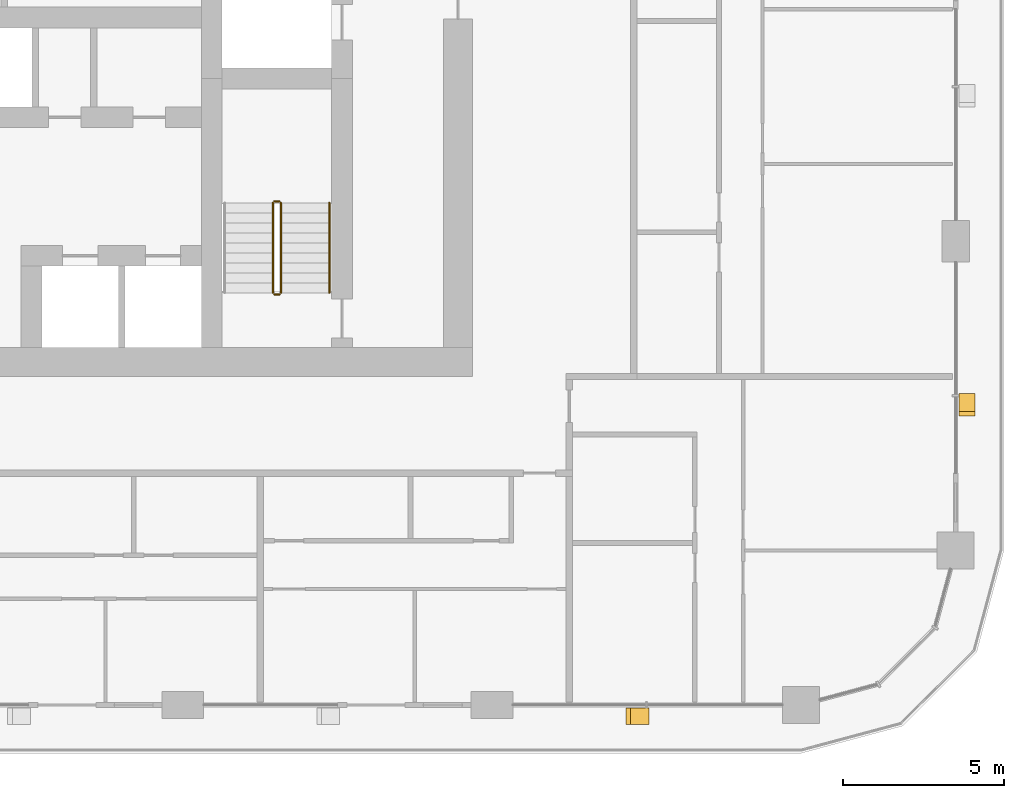
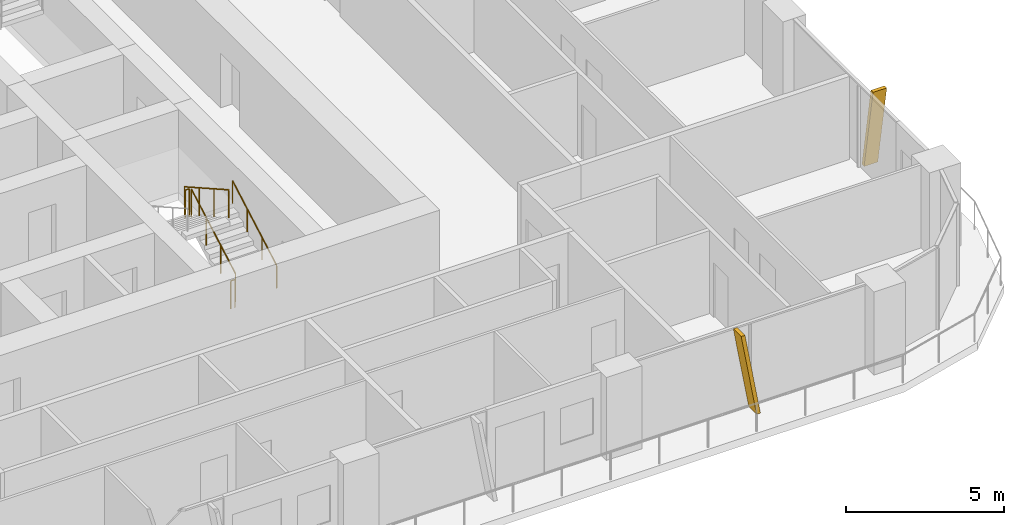
# One storey, part 19 of 22: 5 railings, 2 shading devices.
"""IFC4 building model written with IfcOpenShell, lengths in metres."""

from ifc_helpers import new_model, si_unit, direction, frame, origin, origin_2d, place, context, subcontext, project, spatial, polyline, circle, outline, extrude, material, type_object, element, save


model = new_model("IFC4")

# Units and contexts
model_context = context("Model", 3, precision=1e-05, world=origin(), true_north=direction((0.0, 1.0)))
body_context = subcontext(model_context, "Body", "Model", "MODEL_VIEW")
ifc_project = project(units=[si_unit("LENGTHUNIT", "METRE"), si_unit("AREAUNIT", "SQUARE_METRE"), si_unit("VOLUMEUNIT", "CUBIC_METRE"), si_unit("PLANEANGLEUNIT", "RADIAN"), si_unit("MASSUNIT", "GRAM", prefix="KILO")], contexts=[model_context])

# Site, building, storey
site_placement = place(None, origin())
site = spatial("IfcSite", under=ifc_project, at=site_placement, CompositionType="ELEMENT")
building_placement = place(site_placement, origin())
building = spatial("IfcBuilding", under=site, at=building_placement, Name="Madar Terraces", CompositionType="ELEMENT")
storey_placement = place(building_placement, frame((0.0, 0.0, 99.699951171875)))
storey = spatial("IfcBuildingStorey", under=building, at=storey_placement, Name="L25", CompositionType="ELEMENT", Elevation=99.699951171875)

# Shading devices
ifc_material_1 = material(Name="Aluminium, black anodised", Category="aluminium")
shading_device_type = type_object("IfcShadingDeviceType", Name="Facade fin blade 140 x 500", PredefinedType="USERDEFINED", material=ifc_material_1)
shading_device_1_placement = place(storey_placement, frame((52.72998046875, 4.449951171875, 0.0), z_axis=(0.0, 0.0, 1.0), x_axis=(1.0, 0.0, 0.0)))
element("IfcShadingDevice", 1, at=shading_device_1_placement, inside=storey, type_object=shading_device_type, Name="FIN L25 S5", ObjectType="FIN", PredefinedType="USERDEFINED", context=body_context, shape_type="SweptSolid", body=[
    extrude(outline(polyline([(0.0, 0.0), (0.14013671875, 0.0), (-0.42431640625, 3.199951171875), (-0.564208984375, 3.199951171875), (0.0, 0.0)])), frame((0.0, 0.25, 0.0), z_axis=(0.0, -1.0, 0.0), x_axis=(1.0, 0.0, 0.0)), (0.0, 0.0, 1.0), 0.5),
])
shading_device_2_placement = place(storey_placement, frame((62.75, 14.330078125, 0.0), z_axis=(0.0, 0.0, 1.0), x_axis=(0.0, 1.0, 0.0)))
element("IfcShadingDevice", 2, at=shading_device_2_placement, inside=storey, type_object=shading_device_type, Name="FIN L25 E1", ObjectType="FIN", PredefinedType="USERDEFINED", context=body_context, shape_type="SweptSolid", body=[
    extrude(outline(polyline([(0.0, 0.0), (0.139892578125, 0.0), (-0.42431640625, 3.199951171875), (-0.564208984375, 3.199951171875), (0.0, 0.0)])), frame((0.0, 0.25, 0.0), z_axis=(0.0, -1.0, 0.0), x_axis=(1.0, 0.0, 0.0)), (0.0, 0.0, 1.0), 0.5),
])

# Railings
ifc_material_2 = material(Name="Stainless steel railing", Category="steel")
railing_type_1 = type_object("IfcRailingType", Name="Stair guard 1100", PredefinedType="GUARDRAIL", material=ifc_material_2)
railing_1_placement = place(storey_placement, frame((41.449951171875, 17.60009765625, 0.175048828125)))
element("IfcRailing", 3, at=railing_1_placement, inside=storey, type_object=railing_type_1, Name="L25 ST3 stair guard 1", PredefinedType="GUARDRAIL", context=body_context, shape_type="SweptSolid", body=[
    extrude(circle(Radius=0.02392578125, at=origin_2d()), frame((0.0, 0.0, 1.076171875), z_axis=(0.0, 0.870815363784, 0.491610213684), x_axis=(-1.0, 0.0, 0.0)), (0.0, 0.0, 1.0), 3.20361328125),
    extrude(circle(Radius=0.02099609375, at=origin_2d()), origin(), (0.0, 0.0, 1.0), 1.052001953125),
    extrude(circle(Radius=0.02099609375, at=origin_2d()), frame((0.0, 0.929931640625, 0.52490234375)), (0.0, 0.0, 1.0), 1.052001953125),
    extrude(circle(Radius=0.02099609375, at=origin_2d()), frame((0.0, 1.85986328125, 1.050048828125)), (0.0, 0.0, 1.0), 1.052001953125),
    extrude(circle(Radius=0.02099609375, at=origin_2d()), frame((0.0, 2.789794921875, 1.574951171875)), (0.0, 0.0, 1.0), 1.052001953125),
])
railing_2_placement = place(storey_placement, frame((41.39990234375, 20.43994140625, 1.75)))
element("IfcRailing", 4, at=railing_2_placement, inside=storey, type_object=railing_type_1, Name="L25 ST3 stair guard 2", PredefinedType="GUARDRAIL", context=body_context, shape_type="SweptSolid", body=[
    extrude(circle(Radius=0.02392578125, at=origin_2d()), frame((0.0, 0.0, 1.076171875), z_axis=(-1.0, 0.0, 0.0), x_axis=(0.0, -1.0, 0.0)), (0.0, 0.0, 1.0), 0.14990234375),
    extrude(circle(Radius=0.02099609375, at=origin_2d()), origin(), (0.0, 0.0, 1.0), 1.052001953125),
    extrude(circle(Radius=0.02099609375, at=origin_2d()), frame((-0.14990234375, 0.0, 0.0)), (0.0, 0.0, 1.0), 1.052001953125),
])
railing_3_placement = place(storey_placement, frame((41.199951171875, 20.389892578125, 1.925048828125)))
element("IfcRailing", 5, at=railing_3_placement, inside=storey, type_object=railing_type_1, Name="L25 ST3 stair guard 3", PredefinedType="GUARDRAIL", context=body_context, shape_type="SweptSolid", body=[
    extrude(circle(Radius=0.02392578125, at=origin_2d()), frame((0.0, 0.0, 1.076171875), z_axis=(0.0, -0.870815363784, 0.491610213684), x_axis=(1.0, 0.0, 0.0)), (0.0, 0.0, 1.0), 3.20361328125),
    extrude(circle(Radius=0.02099609375, at=origin_2d()), origin(), (0.0, 0.0, 1.0), 1.052001953125),
    extrude(circle(Radius=0.02099609375, at=origin_2d()), frame((0.0, -0.929931640625, 0.52490234375)), (0.0, 0.0, 1.0), 1.052001953125),
    extrude(circle(Radius=0.02099609375, at=origin_2d()), frame((0.0, -1.85986328125, 1.050048828125)), (0.0, 0.0, 1.0), 1.052001953125),
    extrude(circle(Radius=0.02099609375, at=origin_2d()), frame((0.0, -2.789794921875, 1.574951171875)), (0.0, 0.0, 1.0), 1.052001953125),
])
railing_4_placement = place(storey_placement, frame((41.39990234375, 17.550048828125, 0.0)))
element("IfcRailing", 6, at=railing_4_placement, inside=storey, type_object=railing_type_1, Name="L25 ST3 stair guard 4", PredefinedType="GUARDRAIL", context=body_context, shape_type="SweptSolid", body=[
    extrude(circle(Radius=0.02392578125, at=origin_2d()), frame((0.0, 0.0, 1.076171875), z_axis=(-1.0, 0.0, 0.0), x_axis=(0.0, -1.0, 0.0)), (0.0, 0.0, 1.0), 0.14990234375),
    extrude(circle(Radius=0.02099609375, at=origin_2d()), origin(), (0.0, 0.0, 1.0), 1.052001953125),
    extrude(circle(Radius=0.02099609375, at=origin_2d()), frame((-0.14990234375, 0.0, 0.0)), (0.0, 0.0, 1.0), 1.052001953125),
])
ifc_material_3 = material(Name="Stainless steel railing", Category="steel")
railing_type_2 = type_object("IfcRailingType", Name="Stair handrail 900", PredefinedType="HANDRAIL", material=ifc_material_3)
railing_5_placement = place(storey_placement, frame((42.949951171875, 17.60009765625, 0.175048828125)))
element("IfcRailing", 7, at=railing_5_placement, inside=storey, type_object=railing_type_2, Name="L25 ST3 stair handrail 1", PredefinedType="HANDRAIL", context=body_context, shape_type="SweptSolid", body=[
    extrude(circle(Radius=0.02392578125, at=origin_2d()), frame((0.0, 0.0, 0.8759765625), z_axis=(0.0, 0.870815363784, 0.491610213684), x_axis=(-1.0, 0.0, 0.0)), (0.0, 0.0, 1.0), 3.20361328125),
    extrude(circle(Radius=0.02099609375, at=origin_2d()), origin(), (0.0, 0.0, 1.0), 0.851806640625),
    extrude(circle(Radius=0.02099609375, at=origin_2d()), frame((0.0, 0.929931640625, 0.52490234375)), (0.0, 0.0, 1.0), 0.851806640625),
    extrude(circle(Radius=0.02099609375, at=origin_2d()), frame((0.0, 1.85986328125, 1.050048828125)), (0.0, 0.0, 1.0), 0.851806640625),
    extrude(circle(Radius=0.02099609375, at=origin_2d()), frame((0.0, 2.789794921875, 1.574951171875)), (0.0, 0.0, 1.0), 0.851806640625),
])

save(model, "model.ifc")
